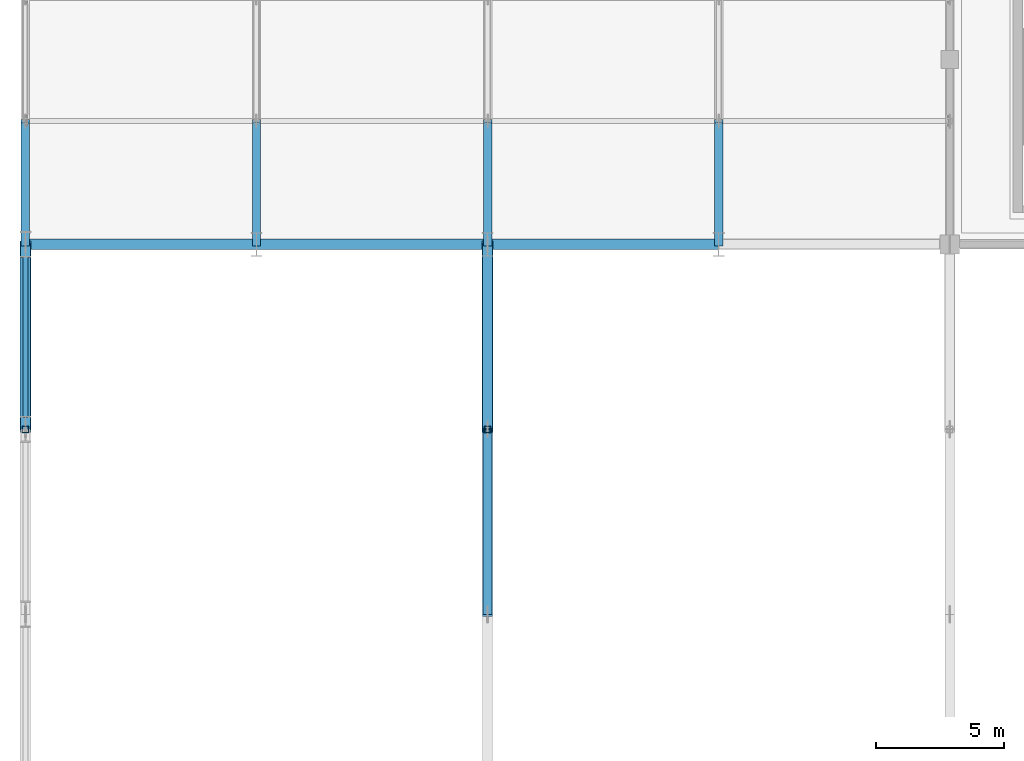
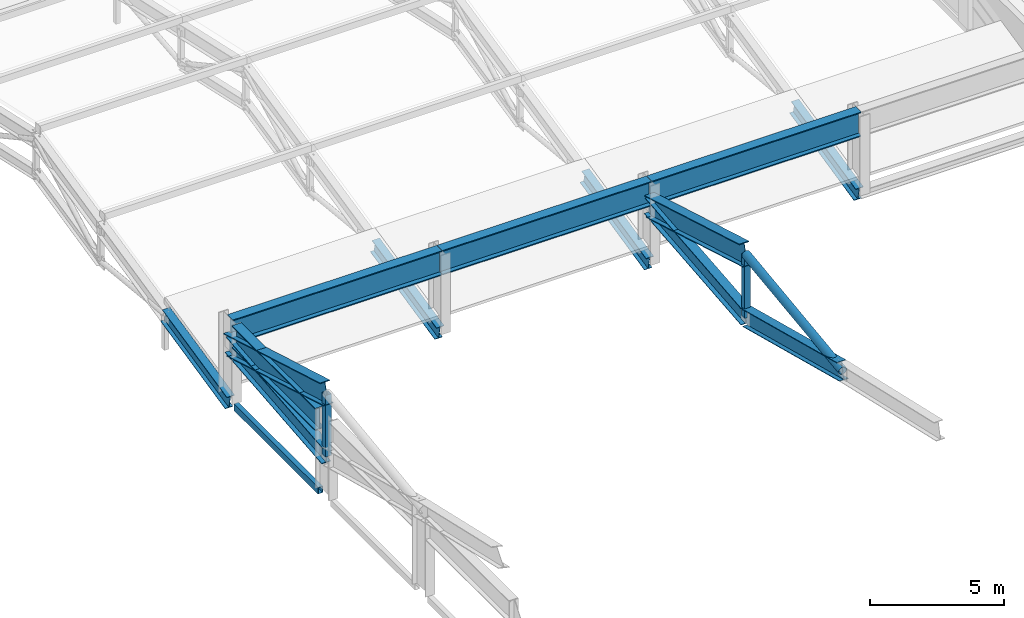
# One storey, part 22 of 151: 12 members, 5 beams.
"""IFC4 building model written with IfcOpenShell, lengths in metres."""

from ifc_helpers import new_model, si_unit, direction, frame, origin, origin_2d, place, context, subcontext, project, spatial, hollow_rectangle, hollow_circle, i_section, extrude, material, material_profile, profile_set, type_object, element, save


model = new_model("IFC4")

# Units and contexts
model_context = context("Model", 3, precision=1e-05, world=origin(), true_north=direction((0.0, 1.0)))
body_context = subcontext(model_context, "Body", "Model", "MODEL_VIEW")
ifc_project = project(units=[si_unit("LENGTHUNIT", "METRE"), si_unit("AREAUNIT", "SQUARE_METRE"), si_unit("VOLUMEUNIT", "CUBIC_METRE"), si_unit("PLANEANGLEUNIT", "RADIAN"), si_unit("MASSUNIT", "GRAM", prefix="KILO")], contexts=[model_context])

# Site, building, storey
site_placement = place(None, origin())
site = spatial("IfcSite", under=ifc_project, at=site_placement, CompositionType="ELEMENT")
building_placement = place(site_placement, origin())
building = spatial("IfcBuilding", under=site, at=building_placement, Name="Celestram Park Convention Centre", CompositionType="ELEMENT")
storey_placement = place(building_placement, frame((0.0, 0.0, 10.800048828125)))
storey = spatial("IfcBuildingStorey", under=building, at=storey_placement, Name="L02", CompositionType="ELEMENT", Elevation=10.800048828125)

# Beams
ifc_material_1 = material(Name="Steel ASTM A992 Grade 50", Category="steel")
ifc_material_profile_1 = material_profile(ifc_material_1, i_section(OverallWidth=0.40087890625, OverallDepth=1.010986328125, WebThickness=0.023681640625, FlangeThickness=0.0419921875, at=origin_2d()), Name="W40X297")
ifc_profile_set_1 = profile_set([ifc_material_profile_1], Name="Steel ASTM A992 Grade 50")
beam_type_1 = type_object("IfcBeamType", Name="STR-BM-W40X297", PredefinedType="BEAM", material=ifc_profile_set_1)
beam_1_placement = place(storey_placement, frame((0.0, 101.303466796875, 3.094482421875), z_axis=(0.0, 1.0, 0.0), x_axis=(-1.0, 0.0, 0.0)))
element("IfcBeam", 1, at=beam_1_placement, inside=storey, type_object=beam_type_1, Name="Exhibition gable tie girder BG-L02-0401", PredefinedType="BEAM", context=body_context, shape_type="SweptSolid", body=[
    extrude(i_section(OverallWidth=0.40087890625, OverallDepth=1.010986328125, WebThickness=0.023681640625, FlangeThickness=0.0419921875, at=origin_2d()), origin(), (0.0, 0.0, 1.0), 6.193115234375),
])
ifc_material_profile_2 = material_profile(ifc_material_1, i_section(OverallWidth=0.404052734375, OverallDepth=1.117919921875, WebThickness=0.026123046875, FlangeThickness=0.044921875, at=origin_2d()), Name="W44X335")
ifc_profile_set_2 = profile_set([ifc_material_profile_2], Name="Steel ASTM A992 Grade 50")
beam_type_2 = type_object("IfcBeamType", Name="STR-BM-W44X335", PredefinedType="BEAM", material=ifc_profile_set_2)
beam_2_placement = place(storey_placement, frame((0.009765625, 108.0, 3.041015625), z_axis=(1.0, 0.0, 0.0), x_axis=(0.0, 1.0, 0.0)))
element("IfcBeam", 2, at=beam_2_placement, inside=storey, type_object=beam_type_2, Name="Exhibition eaves tie girder BG-L02-0386", PredefinedType="BEAM", context=body_context, shape_type="SweptSolid", body=[
    extrude(i_section(OverallWidth=0.404052734375, OverallDepth=1.117919921875, WebThickness=0.026123046875, FlangeThickness=0.044921875, at=origin_2d()), origin(), (0.0, 0.0, 1.0), 8.982666015625),
])
beam_3_placement = place(storey_placement, frame((9.007568359375, 108.0, 3.041015625), z_axis=(1.0, 0.0, 0.0), x_axis=(0.0, 1.0, 0.0)))
element("IfcBeam", 3, at=beam_3_placement, inside=storey, type_object=beam_type_2, Name="Exhibition eaves tie girder BG-L02-0387", PredefinedType="BEAM", context=body_context, shape_type="SweptSolid", body=[
    extrude(i_section(OverallWidth=0.404052734375, OverallDepth=1.117919921875, WebThickness=0.026123046875, FlangeThickness=0.044921875, at=origin_2d()), origin(), (0.0, 0.0, 1.0), 8.984619140625),
])
beam_4_placement = place(storey_placement, frame((18.0078125, 108.0, 3.041015625), z_axis=(1.0, 0.0, 0.0), x_axis=(0.0, 1.0, 0.0)))
element("IfcBeam", 4, at=beam_4_placement, inside=storey, type_object=beam_type_2, Name="Exhibition eaves tie girder BG-L02-0388", PredefinedType="BEAM", context=body_context, shape_type="SweptSolid", body=[
    extrude(i_section(OverallWidth=0.404052734375, OverallDepth=1.117919921875, WebThickness=0.026123046875, FlangeThickness=0.044921875, at=origin_2d()), origin(), (0.0, 0.0, 1.0), 8.984375),
])

# Members
ifc_material_2 = material(Name="Steel ASTM A500 Grade C", Category="steel")
ifc_material_profile_3 = material_profile(ifc_material_2, hollow_circle(Radius=0.177978515625, WallThickness=0.011962890625, at=origin_2d()), Name="CHS356X12")
ifc_profile_set_3 = profile_set([ifc_material_profile_3], Name="Steel ASTM A500 Grade C")
member_type_1 = type_object("IfcMemberType", Name="STR-BRC-CHS356", PredefinedType="BRACE", material=ifc_profile_set_3)
member_1_placement = place(storey_placement, frame((18.0, 93.60009765625, 3.615234375), z_axis=(0.0, 0.991906664472, 0.126969165453), x_axis=(-1.0, 0.0, 0.0)))
element("IfcMember", 5, at=member_1_placement, inside=storey, type_object=member_type_1, Name="V1 arch web diagonal", PredefinedType="BRACE", context=body_context, shape_type="SweptSolid", body=[
    extrude(hollow_circle(Radius=0.177978515625, WallThickness=0.011962890625, at=origin_2d()), origin(), (0.0, 0.0, 1.0), 7.2587890625),
])
ifc_material_profile_4 = material_profile(ifc_material_1, i_section(OverallWidth=0.327880859375, OverallDepth=0.6220703125, WebThickness=0.015380859375, FlangeThickness=0.0244140625, at=origin_2d()), Name="W24X131")
ifc_profile_set_4 = profile_set([ifc_material_profile_4], Name="Steel ASTM A992 Grade 50")
member_type_2 = type_object("IfcMemberType", Name="STR-CHD-W24X131", PredefinedType="CHORD", material=ifc_profile_set_4)
for number, where, z_axis, x_axis, name in (
    (6, (0.0, 108.0, -0.236083984375), (0.0, 0.976188228429, 0.216925200651), (-1.0, 0.0, 0.0), "WPV arch top chord"),
    (7, (9.0, 108.0, -0.236083984375), (0.0, 0.976188228429, 0.216925200651), (-1.0, 0.0, 0.0), "WPV arch top chord"),
    (8, (18.0, 108.0, -0.236083984375), (0.0, 0.976188228429, 0.216925200651), (-1.0, 0.0, 0.0), "WPV arch top chord"),
    (9, (27.0, 108.0, -0.236083984375), (0.0, 0.976188228429, 0.216925200651), (-1.0, 0.0, 0.0), "WPV arch top chord"),
):
    element("IfcMember", number, at=place(storey_placement, frame(where, z_axis=z_axis, x_axis=x_axis)), inside=storey, type_object=member_type_2, Name=name, PredefinedType="CHORD", context=body_context, shape_type="SweptSolid", body=[
        extrude(i_section(OverallWidth=0.327880859375, OverallDepth=0.6220703125, WebThickness=0.015380859375, FlangeThickness=0.0244140625, at=origin_2d()), origin(), (0.0, 0.0, 1.0), 4.917236328125),
    ])
ifc_material_profile_5 = material_profile(ifc_material_1, i_section(OverallWidth=0.381103515625, OverallDepth=0.77197265625, WebThickness=0.0166015625, FlangeThickness=0.027099609375, at=origin_2d()), Name="W30X173")
ifc_profile_set_5 = profile_set([ifc_material_profile_5], Name="Steel ASTM A992 Grade 50")
member_type_3 = type_object("IfcMemberType", Name="STR-CHD-W30X173", PredefinedType="CHORD", material=ifc_profile_set_5)
member_2_placement = place(storey_placement, frame((0.0, 100.800048828125, 1.73681640625), z_axis=(0.0, 0.995417621099, 0.095623007717), x_axis=(-1.0, 0.0, 0.0)))
element("IfcMember", 10, at=member_2_placement, inside=storey, type_object=member_type_3, Name="V1 arch bottom chord", PredefinedType="CHORD", context=body_context, shape_type="SweptSolid", body=[
    extrude(i_section(OverallWidth=0.381103515625, OverallDepth=0.77197265625, WebThickness=0.0166015625, FlangeThickness=0.027099609375, at=origin_2d()), origin(), (0.0, 0.0, 1.0), 7.233154296875),
])
member_3_placement = place(storey_placement, frame((18.0, 93.60009765625, 3.615234375), z_axis=(0.0, 0.967611697295, -0.252443267403), x_axis=(-1.0, 0.0, 0.0)))
element("IfcMember", 11, at=member_3_placement, inside=storey, type_object=member_type_3, Name="V1 arch bottom chord", PredefinedType="CHORD", context=body_context, shape_type="SweptSolid", body=[
    extrude(i_section(OverallWidth=0.381103515625, OverallDepth=0.77197265625, WebThickness=0.0166015625, FlangeThickness=0.027099609375, at=origin_2d()), origin(), (0.0, 0.0, 1.0), 7.44091796875),
])
member_4_placement = place(storey_placement, frame((18.0, 100.800048828125, 1.73681640625), z_axis=(0.0, 0.995417621099, 0.095623007717), x_axis=(-1.0, 0.0, 0.0)))
element("IfcMember", 12, at=member_4_placement, inside=storey, type_object=member_type_3, Name="V1 arch bottom chord", PredefinedType="CHORD", context=body_context, shape_type="SweptSolid", body=[
    extrude(i_section(OverallWidth=0.381103515625, OverallDepth=0.77197265625, WebThickness=0.0166015625, FlangeThickness=0.027099609375, at=origin_2d()), origin(), (0.0, 0.0, 1.0), 7.233154296875),
])
ifc_material_profile_6 = material_profile(ifc_material_1, i_section(OverallWidth=0.4189453125, OverallDepth=0.927001953125, WebThickness=0.019287109375, FlangeThickness=0.031982421875, at=origin_2d()), Name="W36X231")
ifc_profile_set_6 = profile_set([ifc_material_profile_6], Name="Steel ASTM A992 Grade 50")
member_type_4 = type_object("IfcMemberType", Name="STR-CHD-W36X231", PredefinedType="CHORD", material=ifc_profile_set_6)
for number, where, z_axis, x_axis, name in (
    (13, (0.0, 100.800048828125, 4.536865234375), (0.0, 0.959698026141, -0.281033269599), (-1.0, 0.0, 0.0), "V1 arch top chord"),
    (14, (18.0, 100.800048828125, 4.536865234375), (0.0, 0.959698026141, -0.281033269599), (-1.0, 0.0, 0.0), "V1 arch top chord"),
):
    element("IfcMember", number, at=place(storey_placement, frame(where, z_axis=z_axis, x_axis=x_axis)), inside=storey, type_object=member_type_4, Name=name, PredefinedType="CHORD", context=body_context, shape_type="SweptSolid", body=[
        extrude(i_section(OverallWidth=0.4189453125, OverallDepth=0.927001953125, WebThickness=0.019287109375, FlangeThickness=0.031982421875, at=origin_2d()), origin(), (0.0, 0.0, 1.0), 7.502197265625),
    ])

# Beam
ifc_material_profile_7 = material_profile(ifc_material_2, hollow_rectangle(XDim=0.199951171875, YDim=0.300048828125, WallThickness=0.011962890625, at=origin_2d()), Name="HSS300X200X12")
ifc_profile_set_7 = profile_set([ifc_material_profile_7], Name="Steel ASTM A500 Grade C")
beam_type_3 = type_object("IfcBeamType", Name="STR-SPN-HSS300X200", PredefinedType="SPANDREL", material=ifc_profile_set_7)
beam_5_placement = place(storey_placement, frame((0.0, 101.263916015625, -0.150146484375), z_axis=(0.0, 1.0, 0.0), x_axis=(-1.0, 0.0, 0.0)))
element("IfcBeam", 15, at=beam_5_placement, inside=storey, type_object=beam_type_3, Name="High-bay perimeter spandrel SPB-L02-029", PredefinedType="SPANDREL", context=body_context, shape_type="SweptSolid", body=[
    extrude(hollow_rectangle(XDim=0.199951171875, YDim=0.300048828125, WallThickness=0.011962890625, at=origin_2d()), origin(), (0.0, 0.0, 1.0), 6.27197265625),
])

# Members
ifc_material_profile_8 = material_profile(ifc_material_2, hollow_rectangle(XDim=0.25, YDim=0.25, WallThickness=0.011962890625, at=origin_2d()), Name="HSS250X250X12")
ifc_profile_set_8 = profile_set([ifc_material_profile_8], Name="Steel ASTM A500 Grade C")
member_type_5 = type_object("IfcMemberType", Name="STR-STR-HSS250", PredefinedType="STRUT", material=ifc_profile_set_8)
for number, where, z_axis, x_axis, name in (
    (16, (0.0, 100.800048828125, 1.73681640625), (0.0, 0.0, 1.0), (1.0, 0.0, 0.0), "V1 arch vertical strut"),
    (17, (18.0, 100.800048828125, 1.73681640625), (0.0, 0.0, 1.0), (1.0, 0.0, 0.0), "V1 arch vertical strut"),
):
    element("IfcMember", number, at=place(storey_placement, frame(where, z_axis=z_axis, x_axis=x_axis)), inside=storey, type_object=member_type_5, Name=name, PredefinedType="STRUT", context=body_context, shape_type="SweptSolid", body=[
        extrude(hollow_rectangle(XDim=0.25, YDim=0.25, WallThickness=0.011962890625, at=origin_2d()), origin(), (0.0, 0.0, 1.0), 2.800048828125),
    ])

save(model, "model.ifc")
